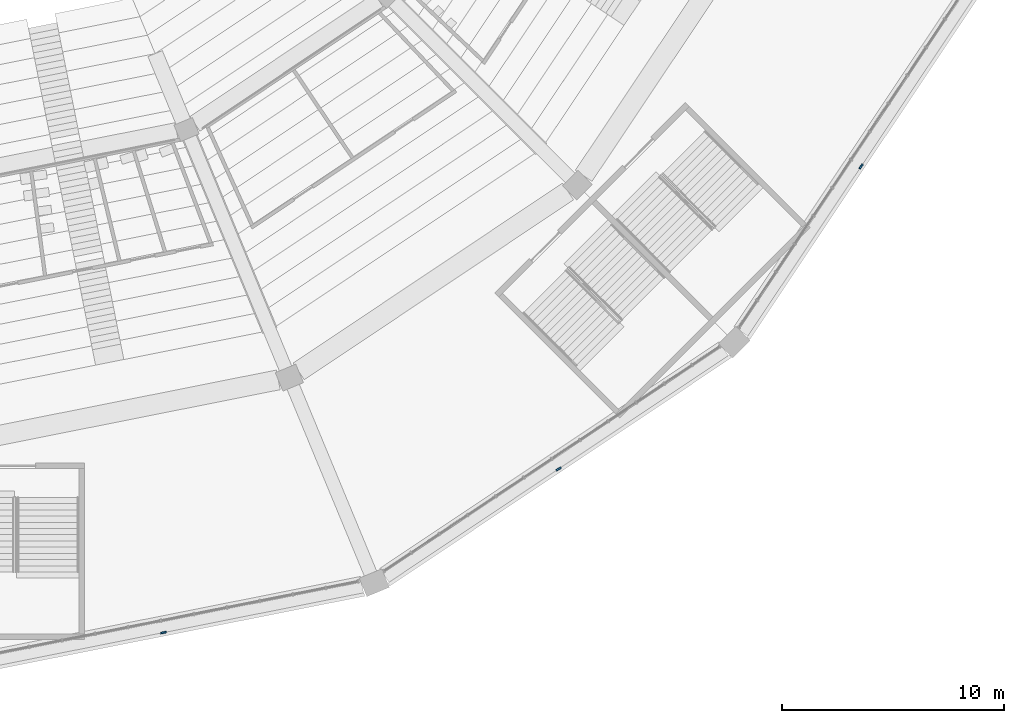
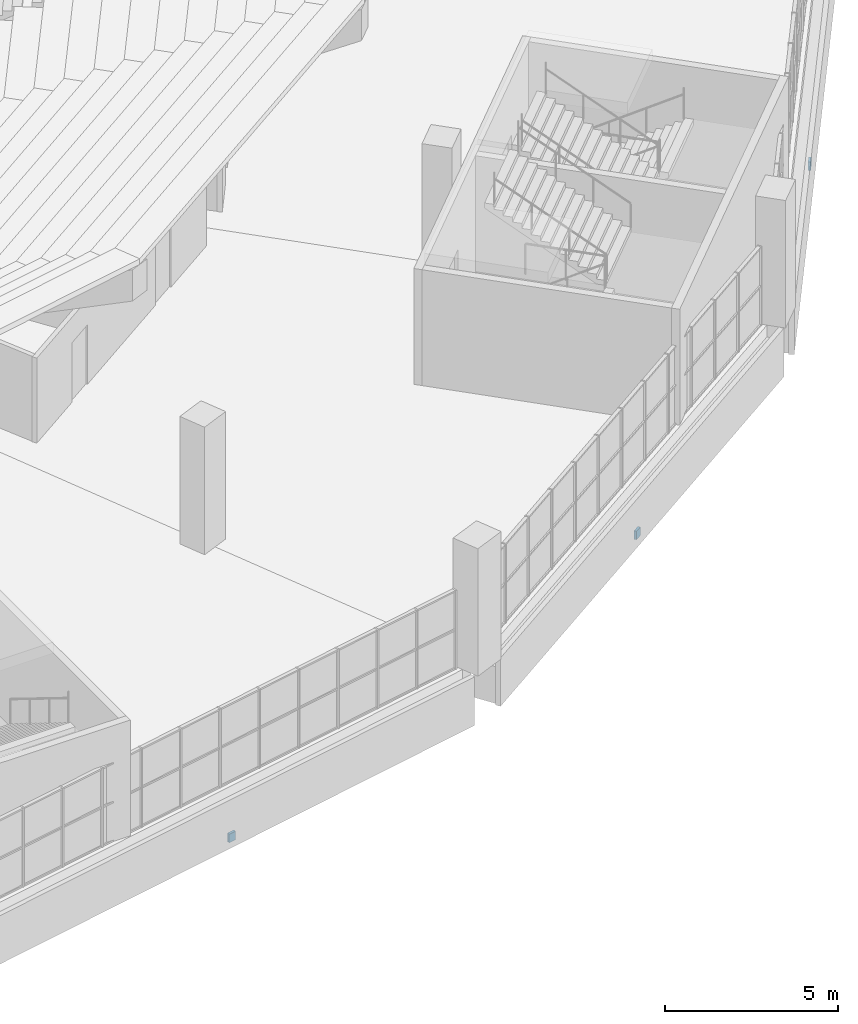
# One storey, part 105 of 249: 3 discrete accessories.
"""IFC4 building model written with IfcOpenShell, lengths in metres."""

from ifc_helpers import new_model, si_unit, direction, frame, origin, origin_2d, place, context, subcontext, project, spatial, rectangle, extrude, material, layer, layer_set, type_object, element, save


model = new_model("IFC4")

# Units and contexts
model_context = context("Model", 3, precision=1e-05, world=origin(), true_north=direction((0.0, 1.0)))
body_context = subcontext(model_context, "Body", "Model", "MODEL_VIEW")
ifc_project = project(units=[si_unit("LENGTHUNIT", "METRE"), si_unit("AREAUNIT", "SQUARE_METRE"), si_unit("VOLUMEUNIT", "CUBIC_METRE"), si_unit("PLANEANGLEUNIT", "RADIAN"), si_unit("MASSUNIT", "GRAM", prefix="KILO")], contexts=[model_context])

# Site, building, storey
site_placement = place(None, origin())
site = spatial("IfcSite", under=ifc_project, at=site_placement, CompositionType="ELEMENT")
building_placement = place(site_placement, origin())
building = spatial("IfcBuilding", under=site, at=building_placement, Name="Ogive Plaza Stadium", CompositionType="ELEMENT")
storey_placement = place(building_placement, frame((0.0, 0.0, 13.5)))
storey = spatial("IfcBuildingStorey", under=building, at=storey_placement, Name="L03", CompositionType="ELEMENT", Elevation=13.5)

# Discrete accessories
ifc_material = material(Name="Steel ASTM A572 Grade 50", Category="steel")
ifc_layer = layer(ifc_material, 0.080078125)
ifc_layer_set = layer_set([ifc_layer], Name="Steel ASTM A572 Grade 50")
discrete_accessory_type = type_object("IfcDiscreteAccessoryType", Name="Spandrel cladding bracket 250x300", PredefinedType="BRACKET", material=ifc_layer_set)
for number, where, z_axis, x_axis, name in (
    (1, (75.065673828125, -79.939208984375, -1.60986328125), (0.0, 0.0, 1.0), (-0.555570233005, -0.831469612312, 0.0), "SPANDREL BRACKET B09 L03"),
    (2, (61.439208984375, -93.565673828125, -1.60986328125), (0.0, 0.0, 1.0), (-0.831469612312, -0.555570233005, 0.0), "SPANDREL BRACKET B10 L03"),
    (3, (43.635498046875, -100.940185546875, -1.60986328125), (0.0, 0.0, 1.0), (-0.980785280403, -0.195090322016, 0.0), "SPANDREL BRACKET B11 L03"),
):
    element("IfcDiscreteAccessory", number, at=place(storey_placement, frame(where, z_axis=z_axis, x_axis=x_axis)), inside=storey, type_object=discrete_accessory_type, Name=name, PredefinedType="BRACKET", context=body_context, shape_type="SweptSolid", body=[
        extrude(rectangle(XDim=0.25, YDim=0.080078125, at=origin_2d()), origin(), (0.0, 0.0, 1.0), 0.300048828125),
    ])

save(model, "model.ifc")
